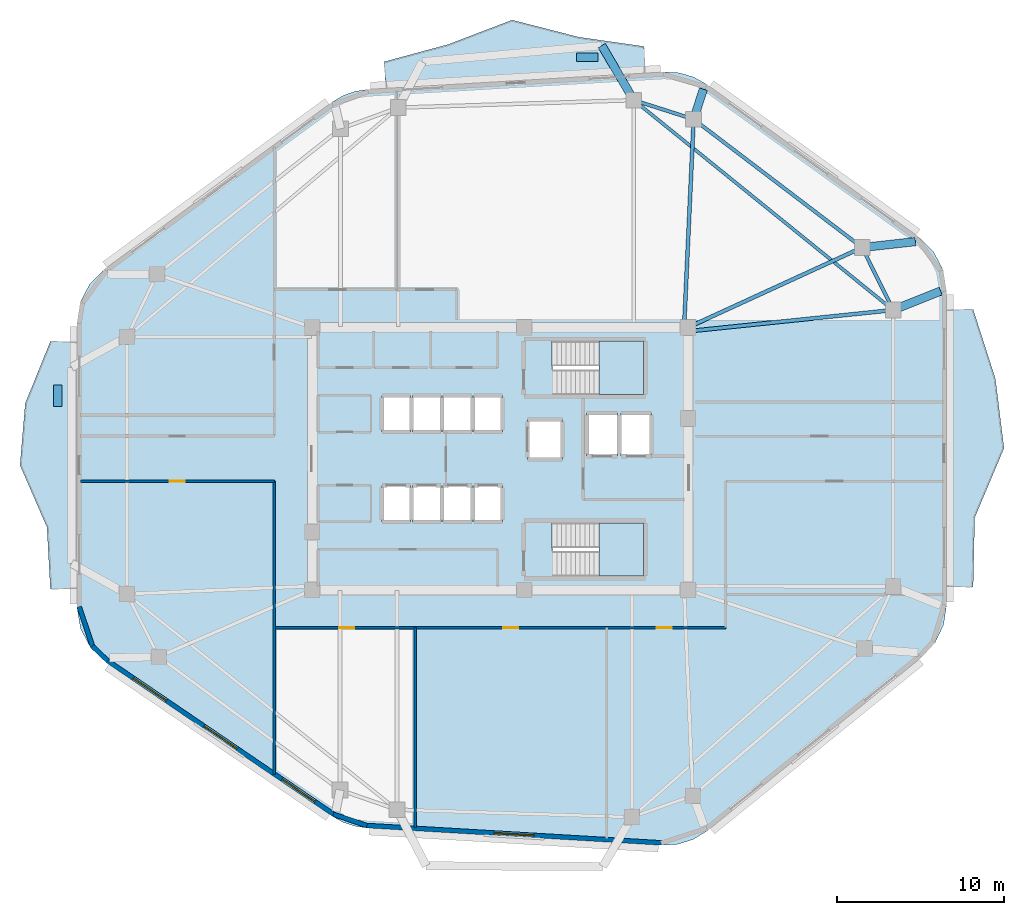
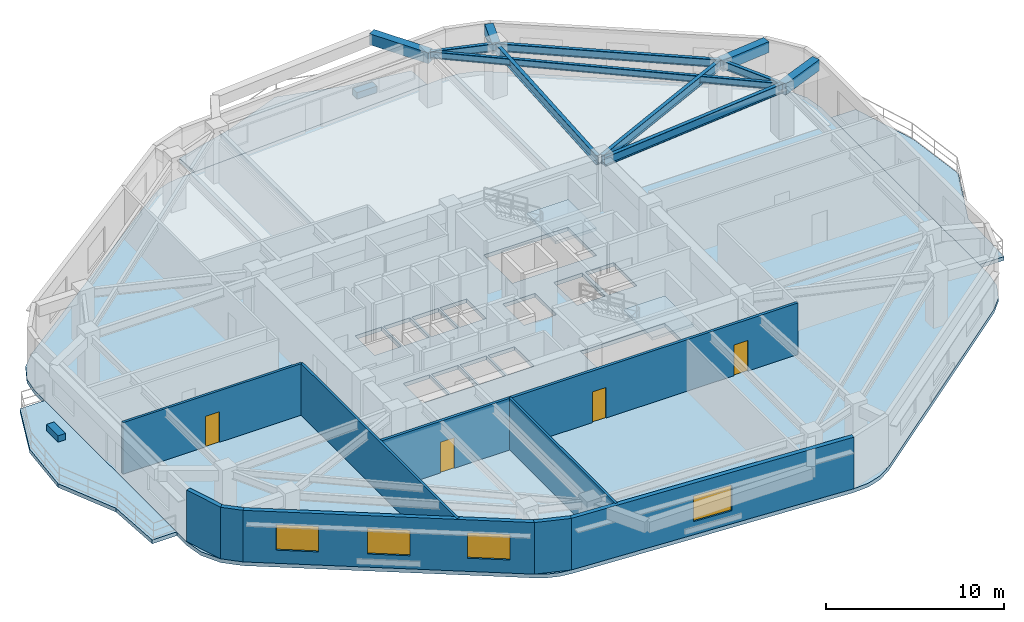
# One storey, part 2 of 9: 11 beams, 9 walls, 6 slabs, 4 doors, 4 windows, 2 plates, 8 openings, 2 elements without a shape of their own.
"""IFC4 building model written with IfcOpenShell, lengths in metres."""

from ifc_helpers import new_model, si_unit, direction, frame, frame_2d, origin, origin_2d, place, context, subcontext, project, spatial, polyline, rectangle, i_section, outline, extrude, material, layer, layer_set, material_profile, profile_set, type_object, element, fill, aggregate, save


model = new_model("IFC4")

# Units and contexts
model_context = context("Model", 3, precision=1e-05, world=origin(), true_north=direction((0.0, 1.0)))
body_context = subcontext(model_context, "Body", "Model", "MODEL_VIEW")
ifc_project = project(units=[si_unit("LENGTHUNIT", "METRE"), si_unit("AREAUNIT", "SQUARE_METRE"), si_unit("VOLUMEUNIT", "CUBIC_METRE"), si_unit("PLANEANGLEUNIT", "RADIAN"), si_unit("MASSUNIT", "GRAM", prefix="KILO")], contexts=[model_context])

# Site, building, storey
site_placement = place(None, origin())
site = spatial("IfcSite", under=ifc_project, at=site_placement, CompositionType="ELEMENT")
building_placement = place(site_placement, origin())
building = spatial("IfcBuilding", under=site, at=building_placement, Name="Zulverin Broadcast Headquarters", CompositionType="ELEMENT")
storey_placement = place(building_placement, frame((0.0, 0.0, 197.199951171875)))
storey = spatial("IfcBuildingStorey", under=building, at=storey_placement, Name="L50", CompositionType="ELEMENT", Elevation=197.199951171875)

# Beams
ifc_material_1 = material(Name="Concrete C40/50", Category="concrete")
ifc_material_profile_1 = material_profile(ifc_material_1, rectangle(XDim=0.5, YDim=0.75, at=origin_2d()), Name="Concrete C40/50", Category="concrete")
ifc_profile_set_1 = profile_set([ifc_material_profile_1], Name="Concrete C40/50")
beam_type_1 = type_object("IfcBeamType", Name="BM-RC-500x750", PredefinedType="BEAM", material=ifc_profile_set_1)
beam_1_placement = place(storey_placement, frame((60.60009765625, 34.12158203125, 3.1650390625), z_axis=(0.92796044158, 0.372678707284, 0.0), x_axis=(-0.372678707284, 0.92796044158, 0.0)))
element("IfcBeam", 1, at=beam_1_placement, inside=storey, type_object=beam_type_1, Name="L51 Plate Overhang Back-Spanned Beam OVR-06", PredefinedType="BEAM", context=body_context, shape_type="SweptSolid", body=[
    extrude(rectangle(XDim=0.5, YDim=0.75, at=origin_2d()), origin(), (0.0, 0.0, 1.0), 3.071044921875),
])
beam_2_placement = place(storey_placement, frame((58.738037109375, 37.877685546875, 3.1650390625), z_axis=(0.994004521098, 0.109338977669, 0.0), x_axis=(-0.109338977669, 0.994004521098, 0.0)))
element("IfcBeam", 2, at=beam_2_placement, inside=storey, type_object=beam_type_1, Name="L51 Plate Overhang Back-Spanned Beam OVR-07", PredefinedType="BEAM", context=body_context, shape_type="SweptSolid", body=[
    extrude(rectangle(XDim=0.5, YDim=0.75, at=origin_2d()), origin(), (0.0, 0.0, 1.0), 3.213134765625),
])
beam_3_placement = place(storey_placement, frame((48.62158203125, 45.574951171875, 3.1650390625), z_axis=(0.306395409062, 0.951904329912, 0.0), x_axis=(-0.951904329912, 0.306395409062, 0.0)))
element("IfcBeam", 3, at=beam_3_placement, inside=storey, type_object=beam_type_1, Name="L51 Plate Overhang Back-Spanned Beam OVR-08", PredefinedType="BEAM", context=body_context, shape_type="SweptSolid", body=[
    extrude(rectangle(XDim=0.5, YDim=0.75, at=origin_2d()), origin(), (0.0, 0.0, 1.0), 1.90283203125),
])
beam_4_placement = place(storey_placement, frame((45.027587890625, 46.7236328125, 3.1650390625), z_axis=(-0.506062406052, 0.862496864447, 0.0), x_axis=(-0.862496864447, -0.506062406052, 0.0)))
element("IfcBeam", 4, at=beam_4_placement, inside=storey, type_object=beam_type_1, Name="L51 Balcony Column-Framed Cantilever BAL_N-1", PredefinedType="BEAM", context=body_context, shape_type="SweptSolid", body=[
    extrude(rectangle(XDim=0.5, YDim=0.75, at=origin_2d()), origin(), (0.0, 0.0, 1.0), 3.800048828125),
])
ifc_material_2 = material(Name="Structural steel S355JR", Category="steel")
ifc_material_profile_2 = material_profile(ifc_material_2, i_section(OverallWidth=0.19287109375, OverallDepth=0.46728515625, WebThickness=0.011474609375, FlangeThickness=0.01953125, at=origin_2d()), Name="Structural steel S355JR", Category="steel")
ifc_profile_set_2 = profile_set([ifc_material_profile_2], Name="Structural steel S355JR")
beam_type_2 = type_object("IfcBeamType", Name="BM-UB-457", PredefinedType="JOIST", material=ifc_profile_set_2)
beam_5_placement = place(storey_placement, frame((60.60009765625, 34.12158203125, 3.306396484375), z_axis=(-0.777349017335, 0.629069555175, 0.0), x_axis=(-0.629069555175, -0.777349017335, 0.0)))
element("IfcBeam", 5, at=beam_5_placement, inside=storey, type_object=beam_type_2, Name="L50 Chordal Floor Joist J-02", PredefinedType="JOIST", context=body_context, shape_type="SweptSolid", body=[
    extrude(i_section(OverallWidth=0.19287109375, OverallDepth=0.46728515625, WebThickness=0.011474609375, FlangeThickness=0.01953125, at=origin_2d()), origin(), (0.0, 0.0, 1.0), 20.032958984375),
])
ifc_material_profile_3 = material_profile(ifc_material_2, i_section(OverallWidth=0.2119140625, OverallDepth=0.54443359375, WebThickness=0.0126953125, FlangeThickness=0.021240234375, at=origin_2d()), Name="Structural steel S355JR", Category="steel")
ifc_profile_set_3 = profile_set([ifc_material_profile_3], Name="Structural steel S355JR")
beam_type_3 = type_object("IfcBeamType", Name="BM-UB-533", PredefinedType="SPANDREL", material=ifc_profile_set_3)
beam_6_placement = place(storey_placement, frame((60.60009765625, 34.12158203125, 3.267822265625), z_axis=(-0.444159471033, 0.895947746407, 0.0), x_axis=(-0.895947746407, -0.444159471033, 0.0)))
element("IfcBeam", 6, at=beam_6_placement, inside=storey, type_object=beam_type_3, Name="L50 Perimeter Spandrel Beam SP-06", PredefinedType="SPANDREL", context=body_context, shape_type="SweptSolid", body=[
    extrude(i_section(OverallWidth=0.2119140625, OverallDepth=0.54443359375, WebThickness=0.0126953125, FlangeThickness=0.021240234375, at=origin_2d()), origin(), (0.0, 0.0, 1.0), 4.1923828125),
])
beam_7_placement = place(storey_placement, frame((58.738037109375, 37.877685546875, 3.267822265625), z_axis=(-0.795830102505, 0.60551998146, 0.0), x_axis=(-0.60551998146, -0.795830102505, 0.0)))
element("IfcBeam", 7, at=beam_7_placement, inside=storey, type_object=beam_type_3, Name="L50 Perimeter Spandrel Beam SP-07", PredefinedType="SPANDREL", context=body_context, shape_type="SweptSolid", body=[
    extrude(i_section(OverallWidth=0.2119140625, OverallDepth=0.54443359375, WebThickness=0.0126953125, FlangeThickness=0.021240234375, at=origin_2d()), origin(), (0.0, 0.0, 1.0), 12.7119140625),
])
beam_8_placement = place(storey_placement, frame((48.62158203125, 45.574951171875, 3.267822265625), z_axis=(-0.952531523781, 0.304439971428, 0.0), x_axis=(-0.304439971428, -0.952531523781, 0.0)))
element("IfcBeam", 8, at=beam_8_placement, inside=storey, type_object=beam_type_3, Name="L50 Perimeter Spandrel Beam SP-08", PredefinedType="SPANDREL", context=body_context, shape_type="SweptSolid", body=[
    extrude(i_section(OverallWidth=0.2119140625, OverallDepth=0.54443359375, WebThickness=0.0126953125, FlangeThickness=0.021240234375, at=origin_2d()), origin(), (0.0, 0.0, 1.0), 3.773193359375),
])
ifc_material_profile_4 = material_profile(ifc_material_2, i_section(OverallWidth=0.230224609375, OverallDepth=0.6171875, WebThickness=0.01318359375, FlangeThickness=0.022216796875, at=origin_2d()), Name="Structural steel S355JR", Category="steel")
ifc_profile_set_4 = profile_set([ifc_material_profile_4], Name="Structural steel S355JR")
beam_type_4 = type_object("IfcBeamType", Name="BM-UB-610", PredefinedType="BEAM", material=ifc_profile_set_4)
beam_9_placement = place(storey_placement, frame((48.324951171875, 32.85009765625, 3.2314453125), z_axis=(0.994678169641, 0.103030766473, 0.0), x_axis=(-0.103030766473, 0.994678169641, 0.0)))
element("IfcBeam", 9, at=beam_9_placement, inside=storey, type_object=beam_type_4, Name="L50 Radial Primary Floor Beam RB-06", PredefinedType="BEAM", context=body_context, shape_type="SweptSolid", body=[
    extrude(i_section(OverallWidth=0.230224609375, OverallDepth=0.6171875, WebThickness=0.01318359375, FlangeThickness=0.022216796875, at=origin_2d()), origin(), (0.0, 0.0, 1.0), 12.3408203125),
])
beam_10_placement = place(storey_placement, frame((48.27490234375, 33.074951171875, 3.2314453125), z_axis=(0.90883007293, 0.417166511764, 0.0), x_axis=(-0.417166511764, 0.90883007293, 0.0)))
element("IfcBeam", 10, at=beam_10_placement, inside=storey, type_object=beam_type_4, Name="L50 Radial Primary Floor Beam RB-07", PredefinedType="BEAM", context=body_context, shape_type="SweptSolid", body=[
    extrude(i_section(OverallWidth=0.230224609375, OverallDepth=0.6171875, WebThickness=0.01318359375, FlangeThickness=0.022216796875, at=origin_2d()), origin(), (0.0, 0.0, 1.0), 11.5126953125),
])
beam_11_placement = place(storey_placement, frame((48.050048828125, 33.125, 3.2314453125), z_axis=(0.045858166026, 0.998947960911, 0.0), x_axis=(-0.998947960911, 0.045858166026, 0.0)))
element("IfcBeam", 11, at=beam_11_placement, inside=storey, type_object=beam_type_4, Name="L50 Radial Primary Floor Beam RB-08", PredefinedType="BEAM", context=body_context, shape_type="SweptSolid", body=[
    extrude(i_section(OverallWidth=0.230224609375, OverallDepth=0.6171875, WebThickness=0.01318359375, FlangeThickness=0.022216796875, at=origin_2d()), origin(), (0.0, 0.0, 1.0), 12.463134765625),
])

# Plates
ifc_material_3 = material(Name="Precast concrete C45/55", Category="concrete")
ifc_layer_1 = layer(ifc_material_3, 0.449951171875, Name="Precast concrete C45/55", Category="concrete")
ifc_layer_set_1 = layer_set([ifc_layer_1], Name="Precast concrete C45/55")
plate_type = type_object("IfcPlateType", Name="PT-01_PRECAST_GFRC_TREE_PLANTER", PredefinedType="USERDEFINED", material=ifc_layer_set_1)
for number, where, z_axis, x_axis, name in (
    (12, (42.239013671875, 49.298095703125, -0.0048828125), (0.0, 0.0, 1.0), (1.0, 0.0, 0.0), "L50 Precast GFRC Tree Planter BAL_N"),
    (13, (10.449951171875, 28.96826171875, -0.0048828125), (0.0, 0.0, 1.0), (0.0, 1.0, 0.0), "L50 Precast GFRC Tree Planter BAL_W"),
):
    element("IfcPlate", number, at=place(storey_placement, frame(where, z_axis=z_axis, x_axis=x_axis)), inside=storey, type_object=plate_type, Name=name, ObjectType="PLANTER", PredefinedType="USERDEFINED", context=body_context, shape_type="SweptSolid", body=[
        extrude(rectangle(XDim=1.300048828125, YDim=0.5, at=origin_2d()), origin(), (0.0, 0.0, 1.0), 0.449951171875),
    ])

# Slabs
ifc_layer_2 = layer(ifc_material_1, 0.260009765625, Name="Concrete C40/50", Category="concrete")
ifc_layer_set_2 = layer_set([ifc_layer_2], Name="Concrete C40/50")
slab_type_1 = type_object("IfcSlabType", Name="SLB-BAL-260", PredefinedType="FLOOR", material=ifc_layer_set_2)
slab_1_placement = place(storey_placement, frame((0.0, 0.0, -0.260009765625)))
element("IfcSlab", 14, at=slab_1_placement, inside=storey, type_object=slab_type_1, Name="L50 Cantilevered Planted Balcony Slab BAL_E", PredefinedType="FLOOR", context=body_context, shape_type="SweptSolid", body=[
    extrude(outline(polyline([(63.800048828125, 34.166259765625), (63.800048828125, 17.490478515625), (65.39990234375, 17.490478515625), (65.493896484375, 21.6591796875), (67.25341796875, 25.828369140625), (66.738037109375, 29.997314453125), (65.39990234375, 34.166259765625), (63.800048828125, 34.166259765625)])), origin(), (0.0, 0.0, 1.0), 0.260009765625),
])
slab_2_placement = place(storey_placement, frame((0.0, 0.0, -0.260009765625)))
element("IfcSlab", 15, at=slab_2_placement, inside=storey, type_object=slab_type_1, Name="L50 Cantilevered Planted Balcony Slab BAL_N", PredefinedType="FLOOR", context=body_context, shape_type="SweptSolid", body=[
    extrude(outline(polyline([(30.1337890625, 47.43408203125), (45.739990234375, 48.35205078125), (45.64599609375, 49.94921875), (41.697509765625, 50.517578125), (37.722412109375, 51.53662109375), (33.8935546875, 50.073974609375), (30.039794921875, 49.03125), (30.1337890625, 47.43408203125)])), origin(), (0.0, 0.0, 1.0), 0.260009765625),
])
slab_3_placement = place(storey_placement, frame((0.0, 0.0, -0.260009765625)))
element("IfcSlab", 16, at=slab_3_placement, inside=storey, type_object=slab_type_1, Name="L50 Cantilevered Planted Balcony Slab BAL_W", PredefinedType="FLOOR", context=body_context, shape_type="SweptSolid", body=[
    extrude(outline(polyline([(11.60009765625, 17.36767578125), (11.60009765625, 32.240234375), (10.0, 32.240234375), (8.490478515625, 28.522216796875), (8.177001953125, 24.803955078125), (9.794921875, 21.085693359375), (10.0, 17.36767578125), (11.60009765625, 17.36767578125)])), origin(), (0.0, 0.0, 1.0), 0.260009765625),
])

# Stair, slab
stair_type = type_object("IfcStairType", Name="ST-CORE-1500", PredefinedType="HALF_TURN_STAIR", material=ifc_material_1)
stair_1_placement = place(storey_placement, origin())
stair_1 = element("IfcStair", 17, at=stair_1_placement, inside=storey, type_object=stair_type, Name="L50 Core Exit Stair ST-1", PredefinedType="HALF_TURN_STAIR")
ifc_layer_3 = layer(ifc_material_1, 0.199951171875, Name="Concrete C40/50", Category="concrete")
ifc_layer_set_3 = layer_set([ifc_layer_3], Name="Concrete C40/50")
slab_type_2 = type_object("IfcSlabType", Name="SLB-ST-LND200", PredefinedType="LANDING", material=ifc_layer_set_3)
slab_4_placement = place(storey_placement, frame((0.0, 0.0, 1.699951171875)))
slab_4 = element("IfcSlab", 18, at=slab_4_placement, type_object=slab_type_2, Name="ST-1 landing 1", PredefinedType="LANDING", context=body_context, shape_type="SweptSolid", body=[
    extrude(outline(polyline([(42.929931640625, 29.050048828125), (45.60009765625, 29.050048828125), (45.60009765625, 32.25), (42.929931640625, 32.25), (42.929931640625, 29.050048828125)])), origin(), (0.0, 0.0, 1.0), 0.2001953125),
])
aggregate(stair_1, [slab_4])

stair_2_placement = place(storey_placement, origin())
stair_2 = element("IfcStair", 19, at=stair_2_placement, inside=storey, type_object=stair_type, Name="L50 Core Exit Stair ST-2", PredefinedType="HALF_TURN_STAIR")
slab_5_placement = place(storey_placement, frame((0.0, 0.0, 1.699951171875)))
slab_5 = element("IfcSlab", 20, at=slab_5_placement, type_object=slab_type_2, Name="ST-2 landing 1", PredefinedType="LANDING", context=body_context, shape_type="SweptSolid", body=[
    extrude(outline(polyline([(42.929931640625, 18.14990234375), (45.60009765625, 18.14990234375), (45.60009765625, 21.35009765625), (42.929931640625, 21.35009765625), (42.929931640625, 18.14990234375)])), origin(), (0.0, 0.0, 1.0), 0.2001953125),
])
aggregate(stair_2, [slab_5])

# Slab
ifc_layer_4 = layer(ifc_material_1, 0.260009765625, Name="Concrete C40/50", Category="concrete")
ifc_layer_set_4 = layer_set([ifc_layer_4], Name="Concrete C40/50")
slab_type_3 = type_object("IfcSlabType", Name="SLB-TWR-260", PredefinedType="FLOOR", material=ifc_layer_set_4)
slab_6_placement = place(storey_placement, frame((0.0, 0.0, -0.260009765625)))
element("IfcSlab", 21, at=slab_6_placement, inside=storey, type_object=slab_type_3, Name="L50 Main Structural Floor Slab", PredefinedType="FLOOR", context=body_context, shape_type="SweptSolid", body=[
    extrude(outline(polyline([(26.943603515625, 3.72021484375), (27.570068359375, 3.3720703125), (28.24853515625, 3.14111328125), (28.95751953125, 3.03515625), (46.708984375, 1.990966796875), (47.690185546875, 2.05419921875), (48.626220703125, 2.35498046875), (49.46044921875, 2.875), (62.316650390625, 13.28125), (63.11572265625, 14.1533203125), (63.625, 15.220703125), (63.800048828125, 16.390380859375), (63.800048828125, 35.26611328125), (63.602294921875, 36.50830078125), (63.02880859375, 37.627197265625), (62.13623046875, 38.51318359375), (49.408935546875, 47.67041015625), (48.61669921875, 48.113525390625), (47.74462890625, 48.36669921875), (46.837890625, 48.41650390625), (29.03564453125, 47.369384765625), (28.27978515625, 47.251708984375), (27.560302734375, 46.9921875), (26.9033203125, 46.6005859375), (13.23291015625, 36.564697265625), (12.356201171875, 35.680908203125), (11.793701171875, 34.570068359375), (11.60009765625, 33.34033203125), (11.60009765625, 16.267578125), (11.808837890625, 14.991943359375), (12.413818359375, 13.849365234375), (13.351318359375, 12.95947265625), (26.943603515625, 3.72021484375)]), holes=[polyline([(40.155029296875, 30.75), (40.130126953125, 30.75), (40.130126953125, 32.25), (45.60009765625, 32.25), (45.60009765625, 29.050048828125), (40.155029296875, 29.050048828125), (40.155029296875, 30.75)]), polyline([(40.155029296875, 19.85009765625), (40.130126953125, 19.85009765625), (40.130126953125, 21.35009765625), (45.60009765625, 21.35009765625), (45.60009765625, 18.14990234375), (40.155029296875, 18.14990234375), (40.155029296875, 19.85009765625)]), polyline([(29.89990234375, 21.39990234375), (31.6201171875, 21.39990234375), (31.6201171875, 23.60009765625), (29.89990234375, 23.60009765625), (29.89990234375, 21.39990234375)]), polyline([(31.739990234375, 21.39990234375), (33.4599609375, 21.39990234375), (33.4599609375, 23.60009765625), (31.739990234375, 23.60009765625), (31.739990234375, 21.39990234375)]), polyline([(33.580078125, 21.39990234375), (35.300048828125, 21.39990234375), (35.300048828125, 23.60009765625), (33.580078125, 23.60009765625), (33.580078125, 21.39990234375)]), polyline([(35.419921875, 21.39990234375), (37.139892578125, 21.39990234375), (37.139892578125, 23.60009765625), (35.419921875, 23.60009765625), (35.419921875, 21.39990234375)]), polyline([(29.89990234375, 26.800048828125), (31.6201171875, 26.800048828125), (31.6201171875, 29.0), (29.89990234375, 29.0), (29.89990234375, 26.800048828125)]), polyline([(31.739990234375, 26.800048828125), (33.4599609375, 26.800048828125), (33.4599609375, 29.0), (31.739990234375, 29.0), (31.739990234375, 26.800048828125)]), polyline([(33.580078125, 26.800048828125), (35.300048828125, 26.800048828125), (35.300048828125, 29.0), (33.580078125, 29.0), (33.580078125, 26.800048828125)]), polyline([(35.419921875, 26.800048828125), (37.139892578125, 26.800048828125), (37.139892578125, 29.0), (35.419921875, 29.0), (35.419921875, 26.800048828125)]), polyline([(42.199951171875, 25.35009765625), (44.050048828125, 25.35009765625), (44.050048828125, 27.949951171875), (42.199951171875, 27.949951171875), (42.199951171875, 25.35009765625)]), polyline([(44.25, 25.35009765625), (46.10009765625, 25.35009765625), (46.10009765625, 27.949951171875), (44.25, 27.949951171875), (44.25, 25.35009765625)]), polyline([(38.64990234375, 25.14990234375), (40.75, 25.14990234375), (40.75, 27.550048828125), (38.64990234375, 27.550048828125), (38.64990234375, 25.14990234375)])]), origin(), (0.0, 0.0, 1.0), 0.260009765625),
])

# Wall, opening, window
ifc_material_4 = material(Name="Insulated pale-metal clad concrete spandrel C40/50", Category="concrete")
ifc_layer_5 = layer(ifc_material_4, 0.280029296875, Name="Insulated pale-metal clad concrete spandrel C40/50", Category="concrete")
ifc_layer_set_5 = layer_set([ifc_layer_5], Name="Insulated pale-metal clad concrete spandrel C40/50")
wall_type_1 = type_object("IfcWallType", Name="WL-EXT-280", PredefinedType="STANDARD", material=ifc_layer_set_5)
wall_1_placement = place(storey_placement, frame((28.965576171875, 3.175048828125, 0.0), z_axis=(0.0, 0.0, 1.0), x_axis=(0.998274467859, -0.058720412304, 0.0)))
wall_1 = element("IfcWall", 22, at=wall_1_placement, inside=storey, type_object=wall_type_1, Name="L50 Pale-Metal Clad Spandrel Wall 1", PredefinedType="STANDARD", context=body_context, shape_type="SweptSolid", body=[
    extrude(rectangle(XDim=17.782470703125, YDim=0.280029296875, at=frame_2d((8.89111328125, 0.0))), origin(), (0.0, 0.0, 1.0), 3.5400390625),
])
opening_1_placement = place(wall_1_placement, frame((7.691162109375, 0.0, 0.89990234375)))
opening_1 = element("IfcOpeningElement", 23, at=opening_1_placement, cuts=wall_1, Name="Opening W-L50-E11", PredefinedType="OPENING", context=body_context, shape_type="SweptSolid", body=[
    extrude(rectangle(XDim=2.39990234375, YDim=1.75, at=frame_2d((1.199951171875, 0.875))), frame((0.0, 0.14990234375, 0.0), z_axis=(0.0, -1.0, 0.0), x_axis=(1.0, 0.0, 0.0)), (0.0, 0.0, 1.0), 0.300048828125),
])
ifc_material_5 = material(Name="Pale anodized aluminium frame with solar-control low-E double glazing", Category="aluminium")
window_type = type_object("IfcWindowType", Name="WIN-RIB-2400", PartitioningType="SINGLE_PANEL", PredefinedType="WINDOW", material=ifc_material_5)
window_1_placement = place(opening_1_placement, origin())
window_1 = element("IfcWindow", 24, at=window_1_placement, inside=storey, type_object=window_type, Name="L50 Ribbon Glazing Window 1 1", OverallHeight=1.75, OverallWidth=2.39990234375, PartitioningType="SINGLE_PANEL", PredefinedType="WINDOW", context=body_context, shape_type="SweptSolid", body=[
    extrude(rectangle(XDim=2.39990234375, YDim=1.75, at=frame_2d((1.199951171875, 0.875))), frame((0.0, 0.030029296875, 0.0), z_axis=(0.0, -1.0, 0.0), x_axis=(1.0, 0.0, 0.0)), (0.0, 0.0, 1.0), 0.06005859375),
])
fill(opening_1, window_1)

# Wall, openings, windows
wall_2_placement = place(storey_placement, frame((13.429931640625, 13.0751953125, 0.0), z_axis=(0.0, 0.0, 1.0), x_axis=(0.827025402003, -0.562164552815, 0.0)))
wall_2 = element("IfcWall", 25, at=wall_2_placement, inside=storey, type_object=wall_type_1, Name="L50 Pale-Metal Clad Spandrel Wall 8", PredefinedType="STANDARD", context=body_context, shape_type="SweptSolid", body=[
    extrude(rectangle(XDim=16.43505859375, YDim=0.280029296875, at=frame_2d((8.217529296875, 0.0))), origin(), (0.0, 0.0, 1.0), 3.5400390625),
])
opening_2_placement = place(wall_2_placement, frame((1.87255859375, 0.0, 0.89990234375)))
opening_2 = element("IfcOpeningElement", 26, at=opening_2_placement, cuts=wall_2, Name="Opening W-L50-E81", PredefinedType="OPENING", context=body_context, shape_type="SweptSolid", body=[
    extrude(rectangle(XDim=2.39990234375, YDim=1.75, at=frame_2d((1.199951171875, 0.875))), frame((0.0, 0.14990234375, 0.0), z_axis=(0.0, -1.0, 0.0), x_axis=(1.0, 0.0, 0.0)), (0.0, 0.0, 1.0), 0.300048828125),
])
opening_3_placement = place(wall_2_placement, frame((7.017578125, 0.0, 0.89990234375)))
opening_3 = element("IfcOpeningElement", 27, at=opening_3_placement, cuts=wall_2, Name="Opening W-L50-E82", PredefinedType="OPENING", context=body_context, shape_type="SweptSolid", body=[
    extrude(rectangle(XDim=2.39990234375, YDim=1.75, at=frame_2d((1.199951171875, 0.875))), frame((0.0, 0.14990234375, 0.0), z_axis=(0.0, -1.0, 0.0), x_axis=(1.0, 0.0, 0.0)), (0.0, 0.0, 1.0), 0.300048828125),
])
opening_4_placement = place(wall_2_placement, frame((12.66259765625, 0.0, 0.89990234375)))
opening_4 = element("IfcOpeningElement", 28, at=opening_4_placement, cuts=wall_2, Name="Opening W-L50-E83", PredefinedType="OPENING", context=body_context, shape_type="SweptSolid", body=[
    extrude(rectangle(XDim=2.39990234375, YDim=1.75, at=frame_2d((1.199951171875, 0.875))), frame((0.0, 0.14990234375, 0.0), z_axis=(0.0, -1.0, 0.0), x_axis=(1.0, 0.0, 0.0)), (0.0, 0.0, 1.0), 0.300048828125),
])
window_2_placement = place(opening_2_placement, origin())
window_2 = element("IfcWindow", 29, at=window_2_placement, inside=storey, type_object=window_type, Name="L50 Ribbon Glazing Window 8 1", OverallHeight=1.75, OverallWidth=2.39990234375, PartitioningType="SINGLE_PANEL", PredefinedType="WINDOW", context=body_context, shape_type="SweptSolid", body=[
    extrude(rectangle(XDim=2.39990234375, YDim=1.75, at=frame_2d((1.199951171875, 0.875))), frame((0.0, 0.030029296875, 0.0), z_axis=(0.0, -1.0, 0.0), x_axis=(1.0, 0.0, 0.0)), (0.0, 0.0, 1.0), 0.06005859375),
])
fill(opening_2, window_2)
window_3_placement = place(opening_3_placement, origin())
window_3 = element("IfcWindow", 30, at=window_3_placement, inside=storey, type_object=window_type, Name="L50 Ribbon Glazing Window 8 2", OverallHeight=1.75, OverallWidth=2.39990234375, PartitioningType="SINGLE_PANEL", PredefinedType="WINDOW", context=body_context, shape_type="SweptSolid", body=[
    extrude(rectangle(XDim=2.39990234375, YDim=1.75, at=frame_2d((1.199951171875, 0.875))), frame((0.0, 0.030029296875, 0.0), z_axis=(0.0, -1.0, 0.0), x_axis=(1.0, 0.0, 0.0)), (0.0, 0.0, 1.0), 0.06005859375),
])
fill(opening_3, window_3)
window_4_placement = place(opening_4_placement, origin())
window_4 = element("IfcWindow", 31, at=window_4_placement, inside=storey, type_object=window_type, Name="L50 Ribbon Glazing Window 8 3", OverallHeight=1.75, OverallWidth=2.39990234375, PartitioningType="SINGLE_PANEL", PredefinedType="WINDOW", context=body_context, shape_type="SweptSolid", body=[
    extrude(rectangle(XDim=2.39990234375, YDim=1.75, at=frame_2d((1.199951171875, 0.875))), frame((0.0, 0.030029296875, 0.0), z_axis=(0.0, -1.0, 0.0), x_axis=(1.0, 0.0, 0.0)), (0.0, 0.0, 1.0), 0.06005859375),
])
fill(opening_4, window_4)

# Walls
wall_3_placement = place(storey_placement, frame((11.732666015625, 16.312255859375, 0.0), z_axis=(0.0, 0.0, 1.0), x_axis=(0.318924860995, -0.947780002447, 0.0)))
element("IfcWall", 32, at=wall_3_placement, inside=storey, type_object=wall_type_1, Name="L50 Wind-Shaped Corner Spandrel Wall 7-1", PredefinedType="STANDARD", context=body_context, shape_type="SweptSolid", body=[
    extrude(rectangle(XDim=2.551513671875, YDim=0.280029296875, at=frame_2d((1.27587890625, 0.0))), origin(), (0.0, 0.0, 1.0), 3.5400390625),
])
wall_4_placement = place(storey_placement, frame((12.510009765625, 13.950927734375, 0.0), z_axis=(0.0, 0.0, 1.0), x_axis=(0.725371815671, -0.688357268451, 0.0)))
element("IfcWall", 33, at=wall_4_placement, inside=storey, type_object=wall_type_1, Name="L50 Wind-Shaped Corner Spandrel Wall 7-2", PredefinedType="STANDARD", context=body_context, shape_type="SweptSolid", body=[
    extrude(rectangle(XDim=1.292724609375, YDim=0.280029296875, at=frame_2d((0.646484375, 0.0))), origin(), (0.0, 0.0, 1.0), 3.5400390625),
])
wall_5_placement = place(storey_placement, frame((26.98876953125, 3.852783203125, 0.0), z_axis=(0.0, 0.0, 1.0), x_axis=(0.946713959835, -0.322075578479, 0.0)))
element("IfcWall", 34, at=wall_5_placement, inside=storey, type_object=wall_type_1, Name="L50 Wind-Shaped Corner Spandrel Wall 8-1", PredefinedType="STANDARD", context=body_context, shape_type="SweptSolid", body=[
    extrude(rectangle(XDim=2.126953125, YDim=0.280029296875, at=frame_2d((1.0634765625, 0.0))), origin(), (0.0, 0.0, 1.0), 3.5400390625),
])
ifc_material_6 = material(Name="Fire-rated gypsum stud partition", Category="gypsum")
ifc_layer_6 = layer(ifc_material_6, 0.14990234375, Name="Fire-rated gypsum stud partition", Category="gypsum")
ifc_layer_set_6 = layer_set([ifc_layer_6], Name="Fire-rated gypsum stud partition")
wall_type_2 = type_object("IfcWallType", Name="WL-PART-150", PredefinedType="PARTITIONING", material=ifc_layer_set_6)
wall_6_placement = place(storey_placement, frame((31.89990234375, 3.067138671875, 0.0), z_axis=(0.0, 0.0, 1.0), x_axis=(0.0, 1.0, 0.0)))
element("IfcWall", 35, at=wall_6_placement, inside=storey, type_object=wall_type_2, Name="L50 Room Partition Wall RP-04", PredefinedType="PARTITIONING", context=body_context, shape_type="SweptSolid", body=[
    extrude(rectangle(XDim=11.98291015625, YDim=0.14990234375, at=frame_2d((5.991455078125, 0.0))), origin(), (0.0, 0.0, 1.0), 3.5400390625),
])
wall_7_placement = place(storey_placement, frame((23.449951171875, 6.235107421875, 0.0), z_axis=(0.0, 0.0, 1.0), x_axis=(0.0, 1.0, 0.0)))
element("IfcWall", 36, at=wall_7_placement, inside=storey, type_object=wall_type_2, Name="L50 Gallery Partition Wall CG-06", PredefinedType="PARTITIONING", context=body_context, shape_type="SweptSolid", body=[
    extrude(rectangle(XDim=17.614990234375, YDim=0.14990234375, at=frame_2d((8.8076171875, 0.0))), origin(), (0.0, 0.0, 1.0), 3.5400390625),
])

# Wall, opening, door
wall_8_placement = place(storey_placement, frame((11.804931640625, 23.85009765625, 0.0), z_axis=(0.0, 0.0, 1.0), x_axis=(1.0, 0.0, 0.0)))
wall_8 = element("IfcWall", 37, at=wall_8_placement, inside=storey, type_object=wall_type_2, Name="L50 Gallery Partition Wall CG-10", PredefinedType="PARTITIONING", context=body_context, shape_type="SweptSolid", body=[
    extrude(rectangle(XDim=11.64501953125, YDim=0.14990234375, at=frame_2d((5.822509765625, 0.0))), origin(), (0.0, 0.0, 1.0), 3.5400390625),
])
opening_5_placement = place(wall_8_placement, frame((5.37255859375, 0.0, 0.0)))
opening_5 = element("IfcOpeningElement", 38, at=opening_5_placement, cuts=wall_8, Name="Opening D-L50-06", PredefinedType="OPENING", context=body_context, shape_type="SweptSolid", body=[
    extrude(rectangle(XDim=0.89990234375, YDim=2.10009765625, at=frame_2d((0.449951171875, 1.050048828125))), frame((0.0, 0.0849609375, 0.0), z_axis=(0.0, -1.0, 0.0), x_axis=(1.0, 0.0, 0.0)), (0.0, 0.0, 1.0), 0.169921875),
])
ifc_material_7 = material(Name="Fire-rated hardwood veneer timber leaf", Category="wood")
door_type = type_object("IfcDoorType", Name="DR-ROOM-900", OperationType="SINGLE_SWING_RIGHT", PredefinedType="DOOR", material=ifc_material_7)
door_1_placement = place(opening_5_placement, origin())
door_1 = element("IfcDoor", 39, at=door_1_placement, inside=storey, type_object=door_type, Name="L50 Coffee Bar Door", OperationType="SINGLE_SWING_LEFT", OverallHeight=2.10009765625, OverallWidth=0.89990234375, PredefinedType="DOOR", context=body_context, shape_type="SweptSolid", body=[
    extrude(rectangle(XDim=0.89990234375, YDim=2.10009765625, at=frame_2d((0.449951171875, 1.050048828125))), frame((0.0, 0.02490234375, 0.0), z_axis=(0.0, -1.0, 0.0), x_axis=(1.0, 0.0, 0.0)), (0.0, 0.0, 1.0), 0.050048828125),
])
fill(opening_5, door_1)

# Wall, openings, doors
ifc_material_8 = material(Name="Fire-rated acoustic stud wall", Category="gypsum")
ifc_layer_7 = layer(ifc_material_8, 0.175048828125, Name="Fire-rated acoustic stud wall", Category="gypsum")
ifc_layer_set_7 = layer_set([ifc_layer_7], Name="Fire-rated acoustic stud wall")
wall_type_3 = type_object("IfcWallType", Name="WL-PART-175", PredefinedType="PARTITIONING", material=ifc_layer_set_7)
wall_9_placement = place(storey_placement, frame((23.449951171875, 15.050048828125, 0.0), z_axis=(0.0, 0.0, 1.0), x_axis=(1.0, 0.0, 0.0)))
wall_9 = element("IfcWall", 40, at=wall_9_placement, inside=storey, type_object=wall_type_3, Name="L50 Gallery Partition Wall CG-08", PredefinedType="PARTITIONING", context=body_context, shape_type="SweptSolid", body=[
    extrude(rectangle(XDim=27.10009765625, YDim=0.175048828125, at=frame_2d((13.550048828125, 0.0))), origin(), (0.0, 0.0, 1.0), 3.5400390625),
])
opening_6_placement = place(wall_9_placement, frame((3.89501953125, 0.0, 0.0)))
opening_6 = element("IfcOpeningElement", 41, at=opening_6_placement, cuts=wall_9, Name="Opening D-L50-03", PredefinedType="OPENING", context=body_context, shape_type="SweptSolid", body=[
    extrude(rectangle(XDim=0.89990234375, YDim=2.10009765625, at=frame_2d((0.449951171875, 1.050048828125))), frame((0.0, 0.097412109375, 0.0), z_axis=(0.0, -1.0, 0.0), x_axis=(1.0, 0.0, 0.0)), (0.0, 0.0, 1.0), 0.195068359375),
])
opening_7_placement = place(wall_9_placement, frame((13.75, 0.0, 0.0)))
opening_7 = element("IfcOpeningElement", 42, at=opening_7_placement, cuts=wall_9, Name="Opening D-L50-04", PredefinedType="OPENING", context=body_context, shape_type="SweptSolid", body=[
    extrude(rectangle(XDim=0.89990234375, YDim=2.10009765625, at=frame_2d((0.449951171875, 1.050048828125))), frame((0.0, 0.097412109375, 0.0), z_axis=(0.0, -1.0, 0.0), x_axis=(1.0, 0.0, 0.0)), (0.0, 0.0, 1.0), 0.195068359375),
])
opening_8_placement = place(wall_9_placement, frame((22.955078125, 0.0, 0.0)))
opening_8 = element("IfcOpeningElement", 43, at=opening_8_placement, cuts=wall_9, Name="Opening D-L50-05", PredefinedType="OPENING", context=body_context, shape_type="SweptSolid", body=[
    extrude(rectangle(XDim=0.89990234375, YDim=2.10009765625, at=frame_2d((0.449951171875, 1.050048828125))), frame((0.0, 0.097412109375, 0.0), z_axis=(0.0, -1.0, 0.0), x_axis=(1.0, 0.0, 0.0)), (0.0, 0.0, 1.0), 0.195068359375),
])
door_2_placement = place(opening_6_placement, origin())
door_2 = element("IfcDoor", 44, at=door_2_placement, inside=storey, type_object=door_type, Name="L50 Incident Briefing Room Door", OperationType="SINGLE_SWING_RIGHT", OverallHeight=2.10009765625, OverallWidth=0.89990234375, PredefinedType="DOOR", context=body_context, shape_type="SweptSolid", body=[
    extrude(rectangle(XDim=0.89990234375, YDim=2.10009765625, at=frame_2d((0.449951171875, 1.050048828125))), frame((0.0, 0.02490234375, 0.0), z_axis=(0.0, -1.0, 0.0), x_axis=(1.0, 0.0, 0.0)), (0.0, 0.0, 1.0), 0.050048828125),
])
fill(opening_6, door_2)
door_3_placement = place(opening_7_placement, origin())
door_3 = element("IfcDoor", 45, at=door_3_placement, inside=storey, type_object=door_type, Name="L50 24-Hour Staff Canteen Door", OperationType="SINGLE_SWING_LEFT", OverallHeight=2.10009765625, OverallWidth=0.89990234375, PredefinedType="DOOR", context=body_context, shape_type="SweptSolid", body=[
    extrude(rectangle(XDim=0.89990234375, YDim=2.10009765625, at=frame_2d((0.449951171875, 1.050048828125))), frame((0.0, 0.02490234375, 0.0), z_axis=(0.0, -1.0, 0.0), x_axis=(1.0, 0.0, 0.0)), (0.0, 0.0, 1.0), 0.050048828125),
])
fill(opening_7, door_3)
door_4_placement = place(opening_8_placement, origin())
door_4 = element("IfcDoor", 46, at=door_4_placement, inside=storey, type_object=door_type, Name="L50 Night Bistro Door", OperationType="SINGLE_SWING_RIGHT", OverallHeight=2.10009765625, OverallWidth=0.89990234375, PredefinedType="DOOR", context=body_context, shape_type="SweptSolid", body=[
    extrude(rectangle(XDim=0.89990234375, YDim=2.10009765625, at=frame_2d((0.449951171875, 1.050048828125))), frame((0.0, 0.02490234375, 0.0), z_axis=(0.0, -1.0, 0.0), x_axis=(1.0, 0.0, 0.0)), (0.0, 0.0, 1.0), 0.050048828125),
])
fill(opening_8, door_4)

save(model, "model.ifc")
